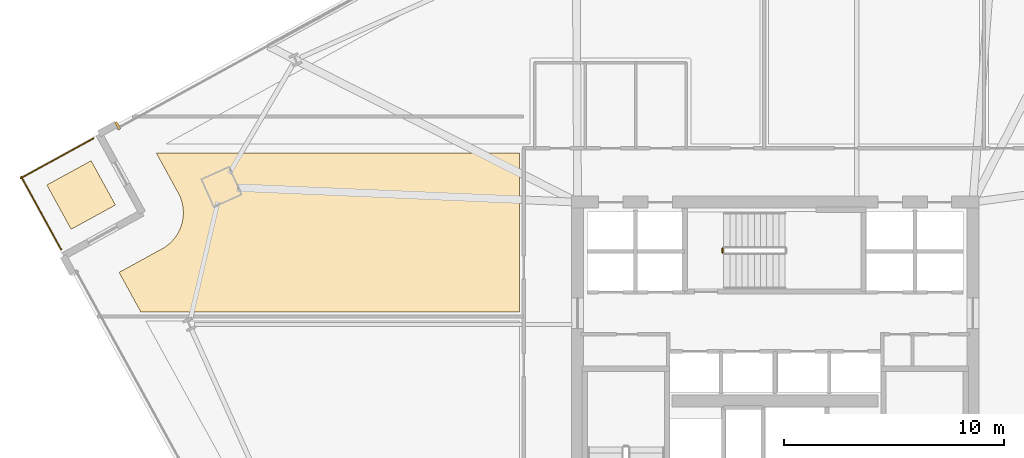
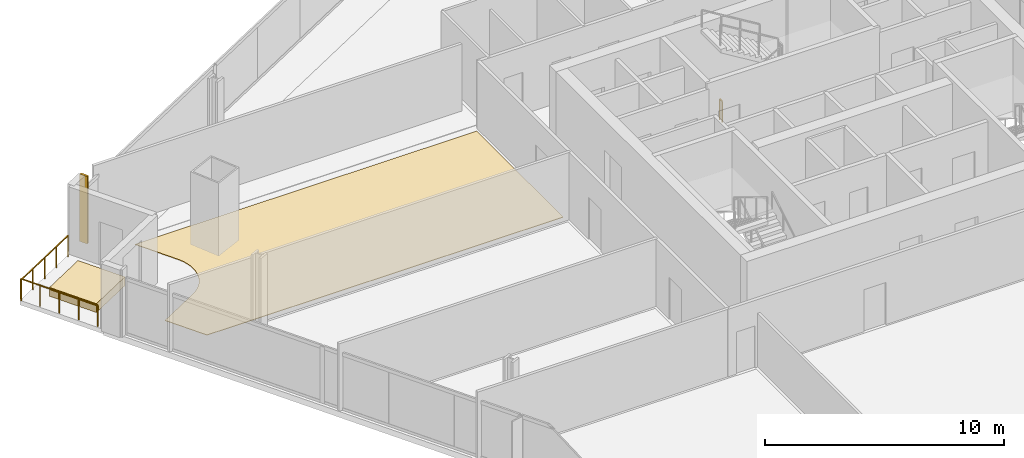
# One storey, part 31 of 33: 3 coverings, 3 railings.
"""IFC4 building model written with IfcOpenShell, lengths in metres."""

from ifc_helpers import new_model, si_unit, direction, frame, origin, origin_2d, place, context, subcontext, project, spatial, polyline, rectangle, outline, extrude, source, transform, mapped, material, layer, layer_set, type_object, element, save


model = new_model("IFC4")

# Units and contexts
model_context = context("Model", 3, precision=1e-05, world=origin(), true_north=direction((0.0, 1.0)))
body_context = subcontext(model_context, "Body", "Model", "MODEL_VIEW")
ifc_project = project(units=[si_unit("LENGTHUNIT", "METRE"), si_unit("AREAUNIT", "SQUARE_METRE"), si_unit("VOLUMEUNIT", "CUBIC_METRE"), si_unit("PLANEANGLEUNIT", "RADIAN"), si_unit("MASSUNIT", "GRAM", prefix="KILO")], contexts=[model_context])

# Site, building, storey
site_placement = place(None, origin())
site = spatial("IfcSite", under=ifc_project, at=site_placement, CompositionType="ELEMENT")
building_placement = place(site_placement, origin())
building = spatial("IfcBuilding", under=site, at=building_placement, Name="Haldenkirk Collegiate Tower", CompositionType="ELEMENT")
storey_placement = place(building_placement, frame((0.0, 0.0, 124.199951171875)))
storey = spatial("IfcBuildingStorey", under=building, at=storey_placement, Name="L30", CompositionType="ELEMENT", Elevation=124.199951171875)

# Coverings
ifc_material_1 = material(Name="Polished collegiate terrazzo", Category="concrete")
ifc_layer_1 = layer(ifc_material_1, 0.02490234375)
ifc_layer_set_1 = layer_set([ifc_layer_1], Name="Polished collegiate terrazzo")
covering_type_1 = type_object("IfcCoveringType", Name="COV-FLOOR-TERRAZZO", PredefinedType="FLOORING", material=ifc_layer_set_1)
covering_1_placement = place(storey_placement, origin())
element("IfcCovering", 1, at=covering_1_placement, inside=storey, type_object=covering_type_1, Name="L30 academic room finish 10", PredefinedType="FLOORING", context=body_context, shape_type="SweptSolid", body=[
    extrude(outline(polyline([(8.08203125, 31.876220703125), (8.087158203125, 31.879150390625), (8.2333984375, 31.968994140625), (8.2431640625, 31.9755859375), (8.3798828125, 32.07958984375), (8.38916015625, 32.087158203125), (8.51513671875, 32.203857421875), (8.523193359375, 32.21240234375), (8.63720703125, 32.3408203125), (8.64453125, 32.35009765625), (8.745361328125, 32.489013671875), (8.751708984375, 32.498779296875), (8.83837890625, 32.647216796875), (8.843994140625, 32.65771484375), (8.91552734375, 32.813720703125), (8.919921875, 32.824462890625), (8.97607421875, 32.98681640625), (8.9794921875, 32.998046875), (9.019287109375, 33.1650390625), (9.021484375, 33.1767578125), (9.044921875, 33.346923828125), (9.0458984375, 33.358642578125), (9.052490234375, 33.5302734375), (9.05224609375, 33.5419921875), (9.0419921875, 33.71337890625), (9.040771484375, 33.72509765625), (9.013671875, 33.894775390625), (9.01123046875, 33.90625), (8.9677734375, 34.072265625), (8.964111328125, 34.08349609375), (8.904541015625, 34.24462890625), (8.89990234375, 34.255615234375), (8.82470703125, 34.409912109375), (8.822021484375, 34.4150390625), (7.8154296875, 36.25), (24.35009765625, 36.25), (24.35009765625, 29.0), (7.116455078125, 29.0), (6.126953125, 30.8037109375), (8.08203125, 31.876220703125)])), origin(), (0.0, 0.0, 1.0), 0.025146484375),
])
ifc_material_2 = material(Name="Precast concrete f'c 40 MPa", Category="concrete")
ifc_layer_2 = layer(ifc_material_2, 0.449951171875)
ifc_layer_set_2 = layer_set([ifc_layer_2], Name="Precast concrete f'c 40 MPa")
covering_type_2 = type_object("IfcCoveringType", Name="COV-PLANTER-450", PredefinedType="USERDEFINED", material=ifc_layer_set_2)
covering_2_placement = place(storey_placement, origin())
element("IfcCovering", 2, at=covering_2_placement, inside=storey, type_object=covering_type_2, Name="L30 planted garden planter bed", ObjectType="PLANTER", PredefinedType="USERDEFINED", context=body_context, shape_type="SweptSolid", body=[
    extrude(outline(polyline([(3.944091796875, 32.765625), (2.837890625, 34.781982421875), (4.8544921875, 35.88818359375), (5.960693359375, 33.871826171875), (3.944091796875, 32.765625)])), origin(), (0.0, 0.0, 1.0), 0.449951171875),
])

# Railings
ifc_material_3 = material(Name="Painted architectural tubular steel", Category="steel")
railing_type_1 = type_object("IfcRailingType", Name="RLG-STAIR-GUARD-1100", PredefinedType="BALUSTRADE", material=ifc_material_3)
railing_1_placement = place(storey_placement, frame((33.60009765625, 31.699951171875, 0.0)))
element("IfcRailing", 3, at=railing_1_placement, inside=storey, type_object=railing_type_1, Name="L30 ST-3 stair guard 4", PredefinedType="BALUSTRADE", context=body_context, shape_type="SweptSolid", body=[
    extrude(rectangle(XDim=0.048095703125, YDim=0.048095703125, at=origin_2d()), frame((0.0, 0.0, 1.076171875), z_axis=(0.0, 1.0, 0.0), x_axis=(-1.0, 0.0, 0.0)), (0.0, 0.0, 1.0), 0.199951171875),
    extrude(rectangle(XDim=0.0419921875, YDim=0.0419921875, at=origin_2d()), origin(), (0.0, 0.0, 1.0), 1.052001953125),
    extrude(rectangle(XDim=0.0419921875, YDim=0.0419921875, at=origin_2d()), frame((0.0, 0.199951171875, 0.0)), (0.0, 0.0, 1.0), 1.052001953125),
])
ifc_material_4 = material(Name="Anodised architectural bronze aluminium", Category="aluminium")
railing_type_2 = type_object("IfcRailingType", Name="RLG-TERR-BALUSTRADE-1100", PredefinedType="BALUSTRADE", material=ifc_material_4)
railing_2_placement = place(storey_placement, frame((4.958984375, 36.90380859375, 0.0)))
element("IfcRailing", 4, at=railing_2_placement, inside=storey, type_object=railing_type_2, Name="L30 terrace guard balustrade 3-1", PredefinedType="BALUSTRADE", context=body_context, shape_type="SweptSolid", body=[
    extrude(rectangle(XDim=0.048095703125, YDim=0.048095703125, at=origin_2d()), frame((0.0, 0.0, 1.076171875), z_axis=(-0.876725432263, -0.480991181233, 0.0), x_axis=(0.480991181233, -0.876725432263, 0.0)), (0.0, 0.0, 1.0), 3.780029296875),
    extrude(rectangle(XDim=0.0419921875, YDim=0.0419921875, at=origin_2d()), origin(), (0.0, 0.0, 1.0), 1.052001953125),
    extrude(rectangle(XDim=0.0419921875, YDim=0.0419921875, at=origin_2d()), frame((-0.82861328125, -0.45458984375, 0.0)), (0.0, 0.0, 1.0), 1.052001953125),
    extrude(rectangle(XDim=0.0419921875, YDim=0.0419921875, at=origin_2d()), frame((-1.656982421875, -0.9091796875, 0.0)), (0.0, 0.0, 1.0), 1.052001953125),
    extrude(rectangle(XDim=0.0419921875, YDim=0.0419921875, at=origin_2d()), frame((-2.4853515625, -1.363525390625, 0.0)), (0.0, 0.0, 1.0), 1.052001953125),
    extrude(rectangle(XDim=0.0419921875, YDim=0.0419921875, at=origin_2d()), frame((-3.31396484375, -1.818115234375, 0.0)), (0.0, 0.0, 1.0), 1.052001953125),
])
railing_3_placement = place(storey_placement, frame((1.668701171875, 35.1669921875, 0.0)))
element("IfcRailing", 5, at=railing_3_placement, inside=storey, type_object=railing_type_2, Name="L30 terrace guard balustrade 4-1", PredefinedType="BALUSTRADE", context=body_context, shape_type="SweptSolid", body=[
    extrude(rectangle(XDim=0.048095703125, YDim=0.048095703125, at=origin_2d()), frame((0.0, 0.0, 1.076171875), z_axis=(0.480991181233, -0.876725432263, 0.0), x_axis=(0.876725432263, 0.480991181233, 0.0)), (0.0, 0.0, 1.0), 3.780029296875),
    extrude(rectangle(XDim=0.0419921875, YDim=0.0419921875, at=origin_2d()), origin(), (0.0, 0.0, 1.0), 1.052001953125),
    extrude(rectangle(XDim=0.0419921875, YDim=0.0419921875, at=origin_2d()), frame((0.45458984375, -0.82861328125, 0.0)), (0.0, 0.0, 1.0), 1.052001953125),
    extrude(rectangle(XDim=0.0419921875, YDim=0.0419921875, at=origin_2d()), frame((0.9091796875, -1.656982421875, 0.0)), (0.0, 0.0, 1.0), 1.052001953125),
    extrude(rectangle(XDim=0.0419921875, YDim=0.0419921875, at=origin_2d()), frame((1.363525390625, -2.4853515625, 0.0)), (0.0, 0.0, 1.0), 1.052001953125),
    extrude(rectangle(XDim=0.0419921875, YDim=0.0419921875, at=origin_2d()), frame((1.818115234375, -3.31396484375, 0.0)), (0.0, 0.0, 1.0), 1.052001953125),
])

# Covering
ifc_layer_3 = layer(ifc_material_4, 0.06005859375)
ifc_layer_set_3 = layer_set([ifc_layer_3], Name="Anodised architectural bronze aluminium")
covering_type_3 = type_object("IfcCoveringType", Name="COV-CLAD-BRONZE-60", PredefinedType="CLADDING", material=ifc_layer_set_3)
shared_shape = source(origin(), body_context, "Body", "SweptSolid", [
    extrude(rectangle(XDim=0.10009765625, YDim=0.3798828125, at=origin_2d()), origin(), (0.0, 0.0, 1.0), 3.449951171875),
])
covering_3_placement = place(storey_placement, frame((6.0693359375, 37.478515625, 0.0), z_axis=(0.0, 0.0, 1.0), x_axis=(0.876726755708, 0.480988768919, 0.0)))
element("IfcCovering", 6, at=covering_3_placement, inside=storey, type_object=covering_type_3, Name="L30 recessed curtain-wall bronze jamb closure NJL", PredefinedType="CLADDING", context=body_context, shape_type="MappedRepresentation", body=[
    mapped(shared_shape, transform((0.0, 0.0, 0.0), x_axis=(1.0, 0.0, 0.0), y_axis=(0.0, 1.0, 0.0), z_axis=(0.0, 0.0, 1.0), scale=1.0)),
])

save(model, "model.ifc")
